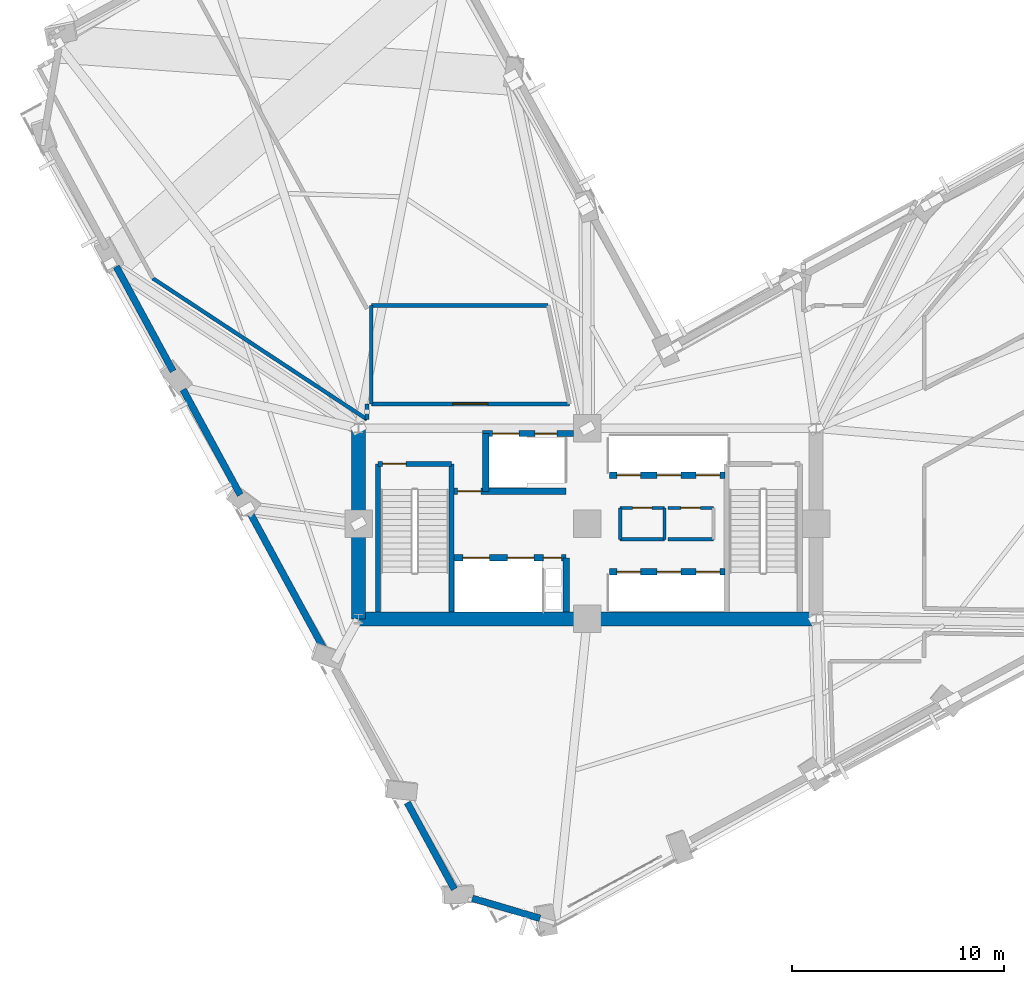
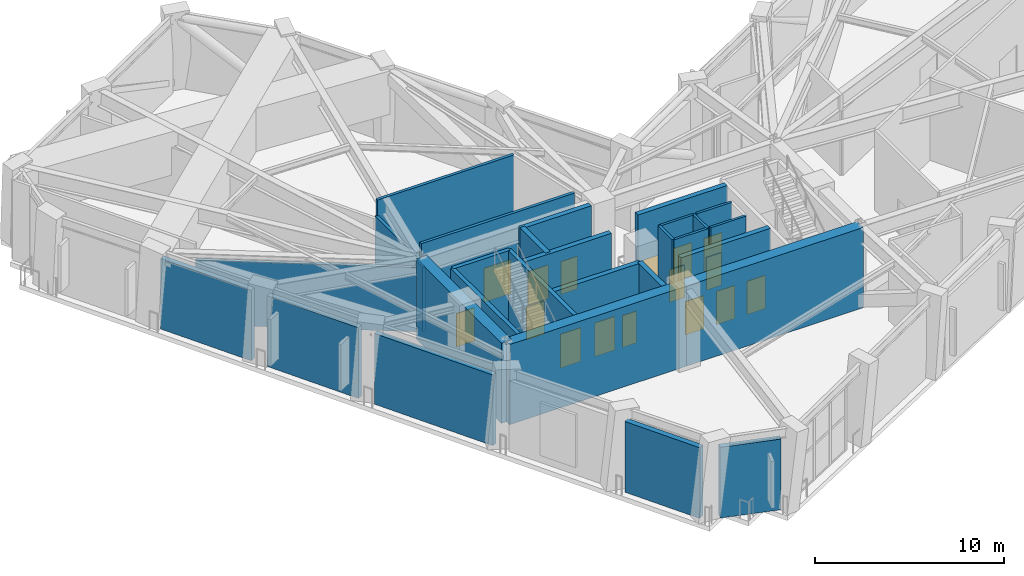
# One storey, part 8 of 15: 29 walls, 16 doors, 16 openings.
"""IFC4 building model written with IfcOpenShell, lengths in metres."""

import ifcopenshell
import ifcopenshell.guid

model = None  # the IFC model being written
_history = None  # IfcOwnerHistory: only IFC2X3 demands one
_inside = {}  # id of a spatial element -> (the spatial element, [elements in it])
_under = {}  # id of a project, library or spatial element -> (it, [spatial elements below it])
_declared = {}  # id of a project -> (the project, [libraries it declares])
_typed = {}  # id of a type object -> (the type object, [elements of that type])
_made_of = {}  # id of a material, layer set ... -> (it, [elements and type objects made of it])


def new_model(schema):
    """Start an empty IFC model of exactly this schema.

    Asked for "IFC4X3", IfcOpenShell would pick the latest addendum, in which some entities
    have other attributes; the version numbers below select the first issue.
    IFC2X3 requires an IfcOwnerHistory on every rooted entity: one is made here for all.
    """
    global model, _history
    if schema == "IFC4X3":
        model = ifcopenshell.file(schema_version=(4, 3, 0, 0))
    else:
        model = ifcopenshell.file(schema=schema)
    _inside.clear()
    _under.clear()
    _declared.clear()
    _typed.clear()
    _made_of.clear()
    _history = None
    if model.schema == "IFC2X3":
        org = make("IfcOrganization", Name="unknown")
        user = make(
            "IfcPersonAndOrganization",
            ThePerson=make("IfcPerson", FamilyName="unknown"),
            TheOrganization=org,
        )
        app = make(
            "IfcApplication",
            ApplicationDeveloper=org,
            Version="unknown",
            ApplicationFullName="unknown",
            ApplicationIdentifier="unknown",
        )
        _history = make(
            "IfcOwnerHistory",
            OwningUser=user,
            OwningApplication=app,
            ChangeAction="ADDED",
            CreationDate=0,
        )
    return model


def make(cls, **values):
    """One entity of the class cls with the attributes given. An attribute that is None is left unset."""
    return model.create_entity(
        cls, **{name: value for name, value in values.items() if value is not None}
    )


def rooted(cls, **values):
    """An entity with a GlobalId (a new one), such as an element, a storey or a relation."""
    return make(cls, GlobalId=ifcopenshell.guid.new(), OwnerHistory=_history, **values)


def si_unit(unit_type, name, prefix=None):
    """IfcSIUnit, for example si_unit("LENGTHUNIT", "METRE", prefix="MILLI")."""
    return make("IfcSIUnit", UnitType=unit_type, Prefix=prefix, Name=name)


def assignment(units):
    """IfcUnitAssignment: the units of a project."""
    return None if units is None else make("IfcUnitAssignment", Units=units)


def point(xyz):
    """IfcCartesianPoint."""
    return None if xyz is None else make("IfcCartesianPoint", Coordinates=xyz)


def direction(xyz):
    """IfcDirection."""
    return None if xyz is None else make("IfcDirection", DirectionRatios=xyz)


def frame(location, z_axis=None, x_axis=None):
    """IfcAxis2Placement3D, a coordinate frame: its origin and axes. An axis left out is left unset."""
    return make(
        "IfcAxis2Placement3D",
        Location=point(location),
        Axis=direction(z_axis),
        RefDirection=direction(x_axis),
    )


def frame_2d(location, x_axis=None):
    """IfcAxis2Placement2D, a coordinate frame in the plane: its origin and x axis."""
    return make(
        "IfcAxis2Placement2D", Location=point(location), RefDirection=direction(x_axis)
    )


def origin():
    """The frame at (0, 0, 0) with its axes left unset."""
    return frame((0.0, 0.0, 0.0))


def place(relative_to, where):
    """IfcLocalPlacement: puts the frame where relative to a parent placement (None: the world)."""
    return make(
        "IfcLocalPlacement", PlacementRelTo=relative_to, RelativePlacement=where
    )


def context(
    kind, dimensions, precision=None, world=None, true_north=None, identifier=None
):
    """IfcGeometricRepresentationContext, for example the 3D "Model" context."""
    return make(
        "IfcGeometricRepresentationContext",
        ContextIdentifier=identifier,
        ContextType=kind,
        CoordinateSpaceDimension=dimensions,
        Precision=precision,
        WorldCoordinateSystem=world,
        TrueNorth=true_north,
    )


def subcontext(parent, identifier, kind, view, scale=None):
    """IfcGeometricRepresentationSubContext, for example "Body" below "Model"."""
    return make(
        "IfcGeometricRepresentationSubContext",
        ContextIdentifier=identifier,
        ContextType=kind,
        ParentContext=parent,
        TargetScale=scale,
        TargetView=view,
    )


def project(units=None, contexts=None):
    """IfcProject with its units and contexts."""
    return rooted(
        "IfcProject",
        Name="project",
        RepresentationContexts=contexts,
        UnitsInContext=assignment(units),
    )


def spatial(cls, under=None, at=None, **own):
    """A site, building, storey or space (cls), placed at a placement, below another one or the project."""
    s = rooted(cls, ObjectPlacement=at, **own)
    if under is not None:
        _under.setdefault(under.id(), (under, []))[1].append(s)
    return s


def profile(cls, at=None, kind="AREA", **sizes):
    """A parametric profile (cls). Its sizes go by their IFC names, for example OverallWidth=200.0."""
    return make(cls, ProfileType=kind, Position=at, **sizes)


def rectangle(**sizes):
    """IfcRectangleProfileDef."""
    return profile("IfcRectangleProfileDef", **sizes)


def extrude(swept, where, along, depth):
    """IfcExtrudedAreaSolid: the profile swept, set in the frame where, extruded along a direction by depth."""
    return make(
        "IfcExtrudedAreaSolid",
        SweptArea=swept,
        Position=where,
        ExtrudedDirection=direction(along),
        Depth=depth,
    )


def shape(context_of_items, identifier, shape_type, items):
    """IfcShapeRepresentation: the items that make up one representation, for example the "Body"."""
    return make(
        "IfcShapeRepresentation",
        ContextOfItems=context_of_items,
        RepresentationIdentifier=identifier,
        RepresentationType=shape_type,
        Items=items,
    )


def material(Name=None, Category=None):
    """IfcMaterial."""
    return make("IfcMaterial", Name=Name, Category=Category)


def layer(
    of_material, thickness, ventilated=None, Name=None, Category=None, Priority=None
):
    """IfcMaterialLayer: one layer of a wall or slab, of a material (None: an air gap)."""
    return make(
        "IfcMaterialLayer",
        Material=of_material,
        LayerThickness=thickness,
        IsVentilated=ventilated,
        Name=Name,
        Category=Category,
        Priority=Priority,
    )


def layer_set(layers, Name=None):
    """IfcMaterialLayerSet."""
    return make("IfcMaterialLayerSet", MaterialLayers=layers, LayerSetName=Name)


def made_of(thing, what):
    """Note that an element or type object is made of a material, layer set ...; save() writes the relation."""
    if what is not None:
        _made_of.setdefault(what.id(), (what, []))[1].append(thing)
    return thing


def type_object(cls, material=None, **own):
    """A type object (cls), such as IfcWallType, which elements share."""
    return made_of(rooted(cls, **own), material)


def element(
    cls,
    number,
    at=None,
    inside=None,
    cuts=None,
    type_object=None,
    material=None,
    context=None,
    identifier="Body",
    shape_type=None,
    held_by="IfcProductDefinitionShape",
    body=None,
    shapes=None,
    **own,
):
    """One element of the class cls, such as IfcWall. Its Tag is "e" and its number.

    at: its placement. inside: the storey or other place that contains it. cuts: it is an
    opening in that element (IfcRelVoidsElement). A single representation is given by context,
    identifier, shape_type and body (its items); several are given by shapes. held_by: the class
    of the entity that holds the representations. save() writes the other relations.
    """
    e = rooted(cls, Tag="e%d" % number, ObjectPlacement=at, **own)
    if body is not None:
        shapes = [shape(context, identifier, shape_type, body)]
    if shapes is not None:
        e.Representation = make(held_by, Representations=shapes)
    if inside is not None:
        _inside.setdefault(inside.id(), (inside, []))[1].append(e)
    if cuts is not None:
        rooted(
            "IfcRelVoidsElement", RelatingBuildingElement=cuts, RelatedOpeningElement=e
        )
    if type_object is not None:
        _typed.setdefault(type_object.id(), (type_object, []))[1].append(e)
    return made_of(e, material)


def fill(opening, filler):
    """IfcRelFillsElement: the door or window that sits in an opening."""
    return rooted(
        "IfcRelFillsElement",
        RelatingOpeningElement=opening,
        RelatedBuildingElement=filler,
    )


def aggregate(whole, parts):
    """IfcRelAggregates: a whole, such as a stair, and the parts it consists of."""
    return rooted("IfcRelAggregates", RelatingObject=whole, RelatedObjects=parts)


def save(model, path):
    """Write the relations noted so far, then the file.

    IfcRelAggregates (storeys below a building ...), IfcRelContainedInSpatialStructure (elements
    in a storey), IfcRelDefinesByType, IfcRelAssociatesMaterial and IfcRelDeclares: one each for
    every whole, place, type object, material and project.
    """
    for whole, parts in _under.values():
        aggregate(whole, parts)
    for where, things in _inside.values():
        rooted(
            "IfcRelContainedInSpatialStructure",
            RelatedElements=things,
            RelatingStructure=where,
        )
    for kind, things in _typed.values():
        rooted("IfcRelDefinesByType", RelatedObjects=things, RelatingType=kind)
    for what, things in _made_of.values():
        rooted("IfcRelAssociatesMaterial", RelatedObjects=things, RelatingMaterial=what)
    for by, libraries in _declared.values():
        rooted("IfcRelDeclares", RelatingContext=by, RelatedDefinitions=libraries)
    model.write(path)


model = new_model("IFC4")

# Units and contexts
model_context = context("Model", 3, precision=1e-05, world=origin(), true_north=direction((0.0, 1.0)))
body_context = subcontext(model_context, "Body", "Model", "MODEL_VIEW")
ifc_project = project(units=[si_unit("LENGTHUNIT", "METRE"), si_unit("AREAUNIT", "SQUARE_METRE"), si_unit("VOLUMEUNIT", "CUBIC_METRE"), si_unit("PLANEANGLEUNIT", "RADIAN"), si_unit("MASSUNIT", "GRAM", prefix="KILO")], contexts=[model_context])

# Site, building, storey
site_placement = place(None, origin())
site = spatial("IfcSite", under=ifc_project, at=site_placement, CompositionType="ELEMENT")
building_placement = place(site_placement, origin())
building = spatial("IfcBuilding", under=site, at=building_placement, Name="Gaonmaruhae Medical Tower", CompositionType="ELEMENT")
storey_placement = place(building_placement, frame((0.0, 0.0, 144.39990234375)))
storey = spatial("IfcBuildingStorey", under=building, at=storey_placement, Name="L34", CompositionType="ELEMENT", Elevation=144.39990234375)

# Walls
ifc_material_1 = material(Name="Concrete C60/75", Category="concrete")
ifc_layer_1 = layer(ifc_material_1, 0.64990234375)
ifc_layer_set_1 = layer_set([ifc_layer_1], Name="Concrete C60/75")
wall_type_1 = type_object("IfcWallType", Name="CW-650 Zone 2 Core Shear Wall", PredefinedType="SHEAR", material=ifc_layer_set_1)
for number, where, z_axis, x_axis, name in (
    (1, (14.0, 7.800048828125, 0.0), (0.0, 0.0, 1.0), (1.0, 0.0, 0.0), "L34 Core Shear Wall CSW-S1"),
    (2, (24.800048828125, 7.800048828125, 0.0), (0.0, 0.0, 1.0), (1.0, 0.0, 0.0), "L34 Core Shear Wall CSW-S2"),
):
    element("IfcWall", number, at=place(storey_placement, frame(where, z_axis=z_axis, x_axis=x_axis)), inside=storey, type_object=wall_type_1, Name=name, PredefinedType="SHEAR", context=body_context, shape_type="SweptSolid", body=[
        extrude(rectangle(XDim=10.800048828125, YDim=0.64990234375, at=frame_2d((5.39990234375, 0.0))), origin(), (0.0, 0.0, 1.0), 5.18017578125),
    ])
wall_1_placement = place(storey_placement, frame((14.0, 16.800048828125, 0.0), z_axis=(0.0, 0.0, 1.0), x_axis=(0.0, -1.0, 0.0)))
element("IfcWall", 3, at=wall_1_placement, inside=storey, type_object=wall_type_1, Name="L34 Core Shear Wall CSW-W1", PredefinedType="SHEAR", context=body_context, shape_type="SweptSolid", body=[
    extrude(rectangle(XDim=9.0, YDim=0.64990234375, at=frame_2d((4.5, 0.0))), origin(), (0.0, 0.0, 1.0), 5.18017578125),
])
ifc_material_2 = material(Name="Precast concrete C45/55", Category="concrete")
ifc_layer_2 = layer(ifc_material_2, 0.320068359375)
ifc_layer_set_2 = layer_set([ifc_layer_2], Name="Precast concrete C45/55")
wall_type_2 = type_object("IfcWallType", Name="EW-320 Lower Precast Masonry-Frame Facade Wall", PredefinedType="SOLIDWALL", material=ifc_layer_set_2)
wall_2_placement = place(storey_placement, frame((5.247314453125, 19.4912109375, 0.0), z_axis=(0.0, 0.0, 1.0), x_axis=(-0.477152174529, 0.87882068839, 0.0)))
element("IfcWall", 4, at=wall_2_placement, inside=storey, type_object=wall_type_2, Name="L34 Precast Masonry-Frame Wall W02-W03", PredefinedType="SOLIDWALL", context=body_context, shape_type="SweptSolid", body=[
    extrude(rectangle(XDim=5.627685546875, YDim=0.320068359375, at=frame_2d((2.81396484375, 0.0))), origin(), (0.0, 0.0, 1.0), 4.545166015625),
])
wall_3_placement = place(storey_placement, frame((8.41796875, 13.651611328125, 0.0), z_axis=(0.0, 0.0, 1.0), x_axis=(-0.477159422491, 0.878816753099, 0.0)))
element("IfcWall", 5, at=wall_3_placement, inside=storey, type_object=wall_type_2, Name="L34 Precast Masonry-Frame Wall W03-W04", PredefinedType="SOLIDWALL", context=body_context, shape_type="SweptSolid", body=[
    extrude(rectangle(XDim=5.661865234375, YDim=0.320068359375, at=frame_2d((2.8310546875, 0.0))), origin(), (0.0, 0.0, 1.0), 4.565185546875),
])
wall_4_placement = place(storey_placement, frame((12.4033203125, 6.311279296875, 0.0), z_axis=(0.0, 0.0, 1.0), x_axis=(-0.477143101216, 0.878825614648, 0.0)))
element("IfcWall", 6, at=wall_4_placement, inside=storey, type_object=wall_type_2, Name="L34 Precast Masonry-Frame Wall W04-W05", PredefinedType="SOLIDWALL", context=body_context, shape_type="SweptSolid", body=[
    extrude(rectangle(XDim=7.3603515625, YDim=0.320068359375, at=frame_2d((3.68017578125, 0.0))), origin(), (0.0, 0.0, 1.0), 4.565185546875),
])
wall_5_placement = place(storey_placement, frame((18.52197265625, -4.95751953125, 0.0), z_axis=(0.0, 0.0, 1.0), x_axis=(-0.477195034422, 0.878797416429, 0.0)))
element("IfcWall", 7, at=wall_5_placement, inside=storey, type_object=wall_type_2, Name="L34 Precast Masonry-Frame Wall W06-W07", PredefinedType="SOLIDWALL", context=body_context, shape_type="SweptSolid", body=[
    extrude(rectangle(XDim=4.6474609375, YDim=0.320068359375, at=frame_2d((2.32373046875, 0.0))), origin(), (0.0, 0.0, 1.0), 4.565185546875),
])
wall_6_placement = place(storey_placement, frame((22.560302734375, -6.3330078125, 0.0), z_axis=(0.0, 0.0, 1.0), x_axis=(-0.95883146111, 0.283975754574, 0.0)))
element("IfcWall", 8, at=wall_6_placement, inside=storey, type_object=wall_type_2, Name="L34 Precast Masonry-Frame Wall W07-S01", PredefinedType="SOLIDWALL", context=body_context, shape_type="SweptSolid", body=[
    extrude(rectangle(XDim=3.32275390625, YDim=0.320068359375, at=frame_2d((1.661376953125, 0.0))), origin(), (0.0, 0.0, 1.0), 4.565185546875),
])
ifc_material_3 = material(Name="Gypsum board partition", Category="gypsum")
ifc_layer_3 = layer(ifc_material_3, 0.14990234375)
ifc_layer_set_3 = layer_set([ifc_layer_3], Name="Gypsum board partition")
wall_type_3 = type_object("IfcWallType", Name="PW-150 Rated Clinical Corridor Partition", PredefinedType="PARTITIONING", material=ifc_layer_set_3)
wall_7_placement = place(storey_placement, frame((26.35009765625, 11.56005859375, 0.0), z_axis=(0.0, 0.0, 1.0), x_axis=(0.0, 1.0, 0.0)))
element("IfcWall", 9, at=wall_7_placement, inside=storey, type_object=wall_type_3, Name="L34 Interior Partition L34-CS1-1", PredefinedType="PARTITIONING", context=body_context, shape_type="SweptSolid", body=[
    extrude(rectangle(XDim=1.47998046875, YDim=0.14990234375, at=frame_2d((0.739990234375, 0.0))), origin(), (0.0, 0.0, 1.0), 5.18017578125),
])

# Wall, opening, door
wall_8_placement = place(storey_placement, frame((26.35009765625, 13.0400390625, 0.0), z_axis=(0.0, 0.0, 1.0), x_axis=(1.0, 0.0, 0.0)))
wall_8 = element("IfcWall", 10, at=wall_8_placement, inside=storey, type_object=wall_type_3, Name="L34 Interior Partition L34-CS1-2", PredefinedType="PARTITIONING", context=body_context, shape_type="SweptSolid", body=[
    extrude(rectangle(XDim=2.099853515625, YDim=0.14990234375, at=frame_2d((1.0498046875, 0.0))), origin(), (0.0, 0.0, 1.0), 5.18017578125),
])
opening_1_placement = place(wall_8_placement, frame((0.590087890625, 0.0, 0.0)))
opening_1 = element("IfcOpeningElement", 11, at=opening_1_placement, cuts=wall_8, Name="Opening UD-01", PredefinedType="OPENING", context=body_context, shape_type="SweptSolid", body=[
    extrude(rectangle(XDim=0.919921875, YDim=2.10009765625, at=frame_2d((0.4599609375, 1.050048828125))), frame((0.0, 0.0849609375, 0.0), z_axis=(0.0, -1.0, 0.0), x_axis=(1.0, 0.0, 0.0)), (0.0, 0.0, 1.0), 0.169921875),
])
ifc_material_4 = material(Name="Powder-coated steel utility door", Category="steel")
door_type_1 = type_object("IfcDoorType", Name="UD-01 Toilet, Utility & Housekeeping Door 920x2100", OperationType="NOTDEFINED", PredefinedType="DOOR", material=ifc_material_4)
door_1_placement = place(opening_1_placement, origin())
door_1 = element("IfcDoor", 12, at=door_1_placement, inside=storey, type_object=door_type_1, Name="L34 Accessible Staff Toilet Door", OperationType="SINGLE_SWING_RIGHT", OverallHeight=2.10009765625, OverallWidth=0.919921875, PredefinedType="DOOR", context=body_context, shape_type="SweptSolid", body=[
    extrude(rectangle(XDim=0.919921875, YDim=2.10009765625, at=frame_2d((0.4599609375, 1.050048828125))), frame((0.0, 0.02490234375, 0.0), z_axis=(0.0, -1.0, 0.0), x_axis=(1.0, 0.0, 0.0)), (0.0, 0.0, 1.0), 0.050048828125),
])
fill(opening_1, door_1)

# Walls
wall_9_placement = place(storey_placement, frame((28.449951171875, 13.0400390625, 0.0), z_axis=(0.0, 0.0, 1.0), x_axis=(0.0, -1.0, 0.0)))
element("IfcWall", 13, at=wall_9_placement, inside=storey, type_object=wall_type_3, Name="L34 Interior Partition L34-CS1-3", PredefinedType="PARTITIONING", context=body_context, shape_type="SweptSolid", body=[
    extrude(rectangle(XDim=1.47998046875, YDim=0.14990234375, at=frame_2d((0.739990234375, 0.0))), origin(), (0.0, 0.0, 1.0), 5.18017578125),
])
wall_10_placement = place(storey_placement, frame((28.449951171875, 11.56005859375, 0.0), z_axis=(0.0, 0.0, 1.0), x_axis=(-1.0, 0.0, 0.0)))
element("IfcWall", 14, at=wall_10_placement, inside=storey, type_object=wall_type_3, Name="L34 Interior Partition L34-CS1-4", PredefinedType="PARTITIONING", context=body_context, shape_type="SweptSolid", body=[
    extrude(rectangle(XDim=2.099853515625, YDim=0.14990234375, at=frame_2d((1.0498046875, 0.0))), origin(), (0.0, 0.0, 1.0), 5.18017578125),
])

# Wall, opening, door
wall_11_placement = place(storey_placement, frame((28.60009765625, 13.0400390625, 0.0), z_axis=(0.0, 0.0, 1.0), x_axis=(1.0, 0.0, 0.0)))
wall_11 = element("IfcWall", 15, at=wall_11_placement, inside=storey, type_object=wall_type_3, Name="L34 Interior Partition L34-CS2-5", PredefinedType="PARTITIONING", context=body_context, shape_type="SweptSolid", body=[
    extrude(rectangle(XDim=2.14990234375, YDim=0.14990234375, at=frame_2d((1.074951171875, 0.0))), origin(), (0.0, 0.0, 1.0), 5.18017578125),
])
opening_2_placement = place(wall_11_placement, frame((0.614990234375, 0.0, 0.0)))
opening_2 = element("IfcOpeningElement", 16, at=opening_2_placement, cuts=wall_11, Name="Opening UD-01", PredefinedType="OPENING", context=body_context, shape_type="SweptSolid", body=[
    extrude(rectangle(XDim=0.919921875, YDim=2.10009765625, at=frame_2d((0.4599609375, 1.050048828125))), frame((0.0, 0.0849609375, 0.0), z_axis=(0.0, -1.0, 0.0), x_axis=(1.0, 0.0, 0.0)), (0.0, 0.0, 1.0), 0.169921875),
])
door_2_placement = place(opening_2_placement, origin())
door_2 = element("IfcDoor", 17, at=door_2_placement, inside=storey, type_object=door_type_1, Name="L34 Biomedical Telemetry Closet Door", OperationType="SINGLE_SWING_LEFT", OverallHeight=2.10009765625, OverallWidth=0.919921875, PredefinedType="DOOR", context=body_context, shape_type="SweptSolid", body=[
    extrude(rectangle(XDim=0.919921875, YDim=2.10009765625, at=frame_2d((0.4599609375, 1.050048828125))), frame((0.0, 0.02490234375, 0.0), z_axis=(0.0, -1.0, 0.0), x_axis=(1.0, 0.0, 0.0)), (0.0, 0.0, 1.0), 0.050048828125),
])
fill(opening_2, door_2)

# Walls
wall_12_placement = place(storey_placement, frame((30.75, 11.56005859375, 0.0), z_axis=(0.0, 0.0, 1.0), x_axis=(-1.0, 0.0, 0.0)))
element("IfcWall", 18, at=wall_12_placement, inside=storey, type_object=wall_type_3, Name="L34 Interior Partition L34-CS2-7", PredefinedType="PARTITIONING", context=body_context, shape_type="SweptSolid", body=[
    extrude(rectangle(XDim=2.14990234375, YDim=0.14990234375, at=frame_2d((1.074951171875, 0.0))), origin(), (0.0, 0.0, 1.0), 5.18017578125),
])
ifc_layer_4 = layer(ifc_material_3, 0.179931640625)
ifc_layer_set_4 = layer_set([ifc_layer_4], Name="Gypsum board partition")
wall_type_4 = type_object("IfcWallType", Name="PW-180 Refuge & Plant Acoustic Fire Partition", PredefinedType="PARTITIONING", material=ifc_layer_set_4)
wall_13_placement = place(storey_placement, frame((14.60009765625, 17.949951171875, 0.0), z_axis=(0.0, 0.0, 1.0), x_axis=(0.0, 1.0, 0.0)))
element("IfcWall", 19, at=wall_13_placement, inside=storey, type_object=wall_type_4, Name="L34 Interior Partition L34-REF1-8", PredefinedType="PARTITIONING", context=body_context, shape_type="SweptSolid", body=[
    extrude(rectangle(XDim=4.650146484375, YDim=0.179931640625, at=frame_2d((2.3251953125, 0.0))), origin(), (0.0, 0.0, 1.0), 4.14501953125),
])
wall_14_placement = place(storey_placement, frame((14.60009765625, 22.60009765625, 0.0), z_axis=(0.0, 0.0, 1.0), x_axis=(1.0, 0.0, 0.0)))
element("IfcWall", 20, at=wall_14_placement, inside=storey, type_object=wall_type_4, Name="L34 Interior Partition L34-REF1-9", PredefinedType="PARTITIONING", context=body_context, shape_type="SweptSolid", body=[
    extrude(rectangle(XDim=8.35400390625, YDim=0.179931640625, at=frame_2d((4.177001953125, 0.0))), origin(), (0.0, 0.0, 1.0), 5.18017578125),
])

# Wall, opening, door
wall_15_placement = place(storey_placement, frame((23.9580078125, 17.949951171875, 0.0), z_axis=(0.0, 0.0, 1.0), x_axis=(-1.0, 0.0, 0.0)))
wall_15 = element("IfcWall", 21, at=wall_15_placement, inside=storey, type_object=wall_type_4, Name="L34 Interior Partition L34-REF1-11", PredefinedType="PARTITIONING", context=body_context, shape_type="SweptSolid", body=[
    extrude(rectangle(XDim=9.35791015625, YDim=0.179931640625, at=frame_2d((4.678955078125, 0.0))), origin(), (0.0, 0.0, 1.0), 5.18017578125),
])
opening_3_placement = place(wall_15_placement, frame((3.85400390625, 0.0, 0.0)))
opening_3 = element("IfcOpeningElement", 22, at=opening_3_placement, cuts=wall_15, Name="Opening FD-04", PredefinedType="OPENING", context=body_context, shape_type="SweptSolid", body=[
    extrude(rectangle(XDim=1.64990234375, YDim=2.199951171875, at=frame_2d((0.824951171875, 1.10009765625))), frame((0.0, 0.10009765625, 0.0), z_axis=(0.0, -1.0, 0.0), x_axis=(1.0, 0.0, 0.0)), (0.0, 0.0, 1.0), 0.199951171875),
])
ifc_material_5 = material(Name="Powder-coated steel fire door", Category="steel")
door_type_2 = type_object("IfcDoorType", Name="FD-04 Refuge & Trauma Double Fire Door 1650x2200", OperationType="NOTDEFINED", PredefinedType="DOOR", material=ifc_material_5)
door_3_placement = place(opening_3_placement, origin())
door_3 = element("IfcDoor", 23, at=door_3_placement, inside=storey, type_object=door_type_2, Name="L34 Designated Fire Refuge Safety Area Door", OperationType="DOUBLE_DOOR_SINGLE_SWING", OverallHeight=2.199951171875, OverallWidth=1.64990234375, PredefinedType="DOOR", context=body_context, shape_type="SweptSolid", body=[
    extrude(rectangle(XDim=1.64990234375, YDim=2.199951171875, at=frame_2d((0.824951171875, 1.10009765625))), frame((0.0, 0.02490234375, 0.0), z_axis=(0.0, -1.0, 0.0), x_axis=(1.0, 0.0, 0.0)), (0.0, 0.0, 1.0), 0.050048828125),
])
fill(opening_3, door_3)

# Walls
wall_16_placement = place(storey_placement, frame((14.39990234375, 17.949951171875, 0.0), z_axis=(0.0, 0.0, 1.0), x_axis=(0.0, -1.0, 0.0)))
element("IfcWall", 24, at=wall_16_placement, inside=storey, type_object=wall_type_4, Name="L34 Interior Partition L34-ELEC-54", PredefinedType="PARTITIONING", context=body_context, shape_type="SweptSolid", body=[
    extrude(rectangle(XDim=0.73095703125, YDim=0.179931640625, at=frame_2d((0.365478515625, 0.0))), origin(), (0.0, 0.0, 1.0), 4.14501953125),
])
wall_17_placement = place(storey_placement, frame((14.39990234375, 17.218994140625, 0.0), z_axis=(0.0, 0.0, 1.0), x_axis=(-0.835210398554, 0.549930532111, 0.0)))
element("IfcWall", 25, at=wall_17_placement, inside=storey, type_object=wall_type_4, Name="L34 Interior Partition L34-ELEC-55", PredefinedType="PARTITIONING", context=body_context, shape_type="SweptSolid", body=[
    extrude(rectangle(XDim=12.10693359375, YDim=0.179931640625, at=frame_2d((6.053466796875, 0.0))), origin(), (0.0, 0.0, 1.0), 4.14501953125),
])

# Wall, opening, door
ifc_material_6 = material(Name="Concrete C50/60", Category="concrete")
ifc_layer_5 = layer(ifc_material_6, 0.239990234375)
ifc_layer_set_5 = layer_set([ifc_layer_5], Name="Concrete C50/60")
wall_type_5 = type_object("IfcWallType", Name="SW-240 Dogleg Stair Tight Shaft Wall", PredefinedType="SOLIDWALL", material=ifc_layer_set_5)
wall_18_placement = place(storey_placement, frame((14.919921875, 15.1201171875, 0.0), z_axis=(0.0, 0.0, 1.0), x_axis=(1.0, 0.0, 0.0)))
wall_18 = element("IfcWall", 26, at=wall_18_placement, inside=storey, type_object=wall_type_5, Name="L34 ST-01 Stair Shaft Wall SHW-ST-01-N", PredefinedType="SOLIDWALL", context=body_context, shape_type="SweptSolid", body=[
    extrude(rectangle(XDim=3.4599609375, YDim=0.239990234375, at=frame_2d((1.72998046875, 0.0))), origin(), (0.0, 0.0, 1.0), 5.18017578125),
])
opening_4_placement = place(wall_18_placement, frame((0.219970703125, 0.0, 0.0)))
opening_4 = element("IfcOpeningElement", 27, at=opening_4_placement, cuts=wall_18, Name="Opening FD-01", PredefinedType="OPENING", context=body_context, shape_type="SweptSolid", body=[
    extrude(rectangle(XDim=1.10009765625, YDim=2.14990234375, at=frame_2d((0.550048828125, 1.074951171875))), frame((0.0, 0.1298828125, 0.0), z_axis=(0.0, -1.0, 0.0), x_axis=(1.0, 0.0, 0.0)), (0.0, 0.0, 1.0), 0.260009765625),
])
door_type_3 = type_object("IfcDoorType", Name="FD-01 Escape Stair Protected Fire Door 1100x2150", OperationType="NOTDEFINED", PredefinedType="DOOR", material=ifc_material_5)
door_4_placement = place(opening_4_placement, origin())
door_4 = element("IfcDoor", 28, at=door_4_placement, inside=storey, type_object=door_type_3, Name="L34 ST-01 Protected Escape Stair Door", OperationType="SINGLE_SWING_RIGHT", OverallHeight=2.14990234375, OverallWidth=1.10009765625, PredefinedType="DOOR", context=body_context, shape_type="SweptSolid", body=[
    extrude(rectangle(XDim=1.10009765625, YDim=2.14990234375, at=frame_2d((0.550048828125, 1.074951171875))), frame((0.0, 0.02490234375, 0.0), z_axis=(0.0, -1.0, 0.0), x_axis=(1.0, 0.0, 0.0)), (0.0, 0.0, 1.0), 0.050048828125),
])
fill(opening_4, door_4)

# Walls
for number, where, z_axis, x_axis, name in (
    (29, (18.3798828125, 15.1201171875, 0.0), (0.0, 0.0, 1.0), (0.0, -1.0, 0.0), "L34 ST-01 Stair Shaft Wall SHW-ST-01-E"),
    (30, (14.919921875, 8.125, 0.0), (0.0, 0.0, 1.0), (0.0, 1.0, 0.0), "L34 ST-01 Stair Shaft Wall SHW-ST-01-W"),
):
    element("IfcWall", number, at=place(storey_placement, frame(where, z_axis=z_axis, x_axis=x_axis)), inside=storey, type_object=wall_type_5, Name=name, PredefinedType="SOLIDWALL", context=body_context, shape_type="SweptSolid", body=[
        extrude(rectangle(XDim=6.9951171875, YDim=0.239990234375, at=frame_2d((3.49755859375, 0.0))), origin(), (0.0, 0.0, 1.0), 5.18017578125),
    ])

# Wall, openings, doors
ifc_layer_6 = layer(ifc_material_6, 0.300048828125)
ifc_layer_set_6 = layer_set([ifc_layer_6], Name="Concrete C50/60")
wall_type_6 = type_object("IfcWallType", Name="SW-300 Stair & Lift Hoistway Shaft Wall", PredefinedType="SOLIDWALL", material=ifc_layer_set_6)
wall_19_placement = place(storey_placement, frame((19.85009765625, 16.550048828125, 0.0), z_axis=(0.0, 0.0, 1.0), x_axis=(1.0, 0.0, 0.0)))
wall_19 = element("IfcWall", 31, at=wall_19_placement, inside=storey, type_object=wall_type_6, Name="L34 Core Shear Wall CSW-NB", PredefinedType="SOLIDWALL", context=body_context, shape_type="SweptSolid", body=[
    extrude(rectangle(XDim=4.2998046875, YDim=0.300048828125, at=frame_2d((2.14990234375, 0.0))), origin(), (0.0, 0.0, 1.0), 5.18017578125),
])
opening_5_placement = place(wall_19_placement, frame((0.47509765625, 0.0, 0.0)))
opening_5 = element("IfcOpeningElement", 32, at=opening_5_placement, cuts=wall_19, Name="Opening LD-F1", PredefinedType="OPENING", context=body_context, shape_type="SweptSolid", body=[
    extrude(rectangle(XDim=1.25, YDim=2.179931640625, at=frame_2d((0.625, 1.08984375))), frame((0.0, 0.16015625, 0.0), z_axis=(0.0, -1.0, 0.0), x_axis=(1.0, 0.0, 0.0)), (0.0, 0.0, 1.0), 0.320068359375),
])
opening_6_placement = place(wall_19_placement, frame((2.489990234375, 0.0, 0.0)))
opening_6 = element("IfcOpeningElement", 33, at=opening_6_placement, cuts=wall_19, Name="Opening LD-S1", PredefinedType="OPENING", context=body_context, shape_type="SweptSolid", body=[
    extrude(rectangle(XDim=1.02001953125, YDim=2.1201171875, at=frame_2d((0.510009765625, 1.06005859375))), frame((0.0, 0.16015625, 0.0), z_axis=(0.0, -1.0, 0.0), x_axis=(1.0, 0.0, 0.0)), (0.0, 0.0, 1.0), 0.320068359375),
])
ifc_material_7 = material(Name="Brushed stainless steel 316L landing door", Category="steel")
door_type_4 = type_object("IfcDoorType", Name="LD-F1 Firefighting & Bed Lift Sliding Landing Door 1250x2180", OperationType="NOTDEFINED", PredefinedType="DOOR", material=ifc_material_7)
door_5_placement = place(opening_5_placement, origin())
door_5 = element("IfcDoor", 34, at=door_5_placement, inside=storey, type_object=door_type_4, Name="L34 Service/Bed Lift Landing Door BDL-01", OperationType="DOUBLE_DOOR_SLIDING", OverallHeight=2.179931640625, OverallWidth=1.25, PredefinedType="DOOR", context=body_context, shape_type="SweptSolid", body=[
    extrude(rectangle(XDim=1.25, YDim=2.179931640625, at=frame_2d((0.625, 1.08984375))), frame((0.0, 0.02490234375, 0.0), z_axis=(0.0, -1.0, 0.0), x_axis=(1.0, 0.0, 0.0)), (0.0, 0.0, 1.0), 0.050048828125),
])
fill(opening_5, door_5)
ifc_material_8 = material(Name="Brushed stainless steel 304 landing door", Category="steel")
door_type_5 = type_object("IfcDoorType", Name="LD-S1 Service Lift Sliding Landing Door 1020x2120", OperationType="NOTDEFINED", PredefinedType="DOOR", material=ifc_material_8)
door_6_placement = place(opening_6_placement, origin())
door_6 = element("IfcDoor", 35, at=door_6_placement, inside=storey, type_object=door_type_5, Name="L34 Service/Bed Lift Landing Door SVL-01", OperationType="SLIDING_TO_LEFT", OverallHeight=2.1201171875, OverallWidth=1.02001953125, PredefinedType="DOOR", context=body_context, shape_type="SweptSolid", body=[
    extrude(rectangle(XDim=1.02001953125, YDim=2.1201171875, at=frame_2d((0.510009765625, 1.06005859375))), frame((0.0, 0.02490234375, 0.0), z_axis=(0.0, -1.0, 0.0), x_axis=(1.0, 0.0, 0.0)), (0.0, 0.0, 1.0), 0.050048828125),
])
fill(opening_6, door_6)

wall_20_placement = place(storey_placement, frame((18.5, 10.679931640625, 0.0), z_axis=(0.0, 0.0, 1.0), x_axis=(1.0, 0.0, 0.0)))
wall_20 = element("IfcWall", 36, at=wall_20_placement, inside=storey, type_object=wall_type_6, Name="L34 Shaft Enclosure Wall SHW-FFN", PredefinedType="SOLIDWALL", context=body_context, shape_type="SweptSolid", body=[
    extrude(rectangle(XDim=5.300048828125, YDim=0.300048828125, at=frame_2d((2.64990234375, 0.0))), origin(), (0.0, 0.0, 1.0), 5.18017578125),
])
opening_7_placement = place(wall_20_placement, frame((4.219970703125, 0.0, 0.0)))
opening_7 = element("IfcOpeningElement", 37, at=opening_7_placement, cuts=wall_20, Name="Opening AD-01", PredefinedType="OPENING", context=body_context, shape_type="SweptSolid", body=[
    extrude(rectangle(XDim=0.860107421875, YDim=2.06005859375, at=frame_2d((0.43017578125, 1.030029296875))), frame((0.0, 0.16015625, 0.0), z_axis=(0.0, -1.0, 0.0), x_axis=(1.0, 0.0, 0.0)), (0.0, 0.0, 1.0), 0.320068359375),
])
opening_8_placement = place(wall_20_placement, frame((0.425048828125, 0.0, 0.0)))
opening_8 = element("IfcOpeningElement", 38, at=opening_8_placement, cuts=wall_20, Name="Opening LD-F1", PredefinedType="OPENING", context=body_context, shape_type="SweptSolid", body=[
    extrude(rectangle(XDim=1.25, YDim=2.179931640625, at=frame_2d((0.625, 1.08984375))), frame((0.0, 0.16015625, 0.0), z_axis=(0.0, -1.0, 0.0), x_axis=(1.0, 0.0, 0.0)), (0.0, 0.0, 1.0), 0.320068359375),
])
opening_9_placement = place(wall_20_placement, frame((2.52490234375, 0.0, 0.0)))
opening_9 = element("IfcOpeningElement", 39, at=opening_9_placement, cuts=wall_20, Name="Opening LD-F1", PredefinedType="OPENING", context=body_context, shape_type="SweptSolid", body=[
    extrude(rectangle(XDim=1.25, YDim=2.179931640625, at=frame_2d((0.625, 1.08984375))), frame((0.0, 0.16015625, 0.0), z_axis=(0.0, -1.0, 0.0), x_axis=(1.0, 0.0, 0.0)), (0.0, 0.0, 1.0), 0.320068359375),
])
ifc_material_9 = material(Name="Powder-coated steel access door", Category="steel")
door_type_6 = type_object("IfcDoorType", Name="AD-01 Riser & Closet Access Fire Door 860x2060", OperationType="NOTDEFINED", PredefinedType="DOOR", material=ifc_material_9)
door_7_placement = place(opening_7_placement, origin())
door_7 = element("IfcDoor", 40, at=door_7_placement, inside=storey, type_object=door_type_6, Name="L34 Medical Gas and MEP Riser Access Door", OperationType="SINGLE_SWING_RIGHT", OverallHeight=2.06005859375, OverallWidth=0.860107421875, PredefinedType="DOOR", context=body_context, shape_type="SweptSolid", body=[
    extrude(rectangle(XDim=0.860107421875, YDim=2.06005859375, at=frame_2d((0.43017578125, 1.030029296875))), frame((0.0, 0.02490234375, 0.0), z_axis=(0.0, -1.0, 0.0), x_axis=(1.0, 0.0, 0.0)), (0.0, 0.0, 1.0), 0.050048828125),
])
fill(opening_7, door_7)
door_8_placement = place(opening_8_placement, origin())
door_8 = element("IfcDoor", 41, at=door_8_placement, inside=storey, type_object=door_type_4, Name="L34 Firefighting Lift Landing Door FFL-01", OperationType="DOUBLE_DOOR_SLIDING", OverallHeight=2.179931640625, OverallWidth=1.25, PredefinedType="DOOR", context=body_context, shape_type="SweptSolid", body=[
    extrude(rectangle(XDim=1.25, YDim=2.179931640625, at=frame_2d((0.625, 1.08984375))), frame((0.0, 0.02490234375, 0.0), z_axis=(0.0, -1.0, 0.0), x_axis=(1.0, 0.0, 0.0)), (0.0, 0.0, 1.0), 0.050048828125),
])
fill(opening_8, door_8)
door_9_placement = place(opening_9_placement, origin())
door_9 = element("IfcDoor", 42, at=door_9_placement, inside=storey, type_object=door_type_4, Name="L34 Firefighting Lift Landing Door FFL-02", OperationType="DOUBLE_DOOR_SLIDING", OverallHeight=2.179931640625, OverallWidth=1.25, PredefinedType="DOOR", context=body_context, shape_type="SweptSolid", body=[
    extrude(rectangle(XDim=1.25, YDim=2.179931640625, at=frame_2d((0.625, 1.08984375))), frame((0.0, 0.02490234375, 0.0), z_axis=(0.0, -1.0, 0.0), x_axis=(1.0, 0.0, 0.0)), (0.0, 0.0, 1.0), 0.050048828125),
])
fill(opening_9, door_9)

# Wall, opening, door
wall_21_placement = place(storey_placement, frame((18.5, 13.820068359375, 0.0), z_axis=(0.0, 0.0, 1.0), x_axis=(1.0, 0.0, 0.0)))
wall_21 = element("IfcWall", 43, at=wall_21_placement, inside=storey, type_object=wall_type_6, Name="L34 Shaft Enclosure Wall SHW-FFL", PredefinedType="SOLIDWALL", context=body_context, shape_type="SweptSolid", body=[
    extrude(rectangle(XDim=5.300048828125, YDim=0.300048828125, at=frame_2d((2.64990234375, 0.0))), origin(), (0.0, 0.0, 1.0), 5.18017578125),
])
opening_10_placement = place(wall_21_placement, frame((0.179931640625, 0.0, 0.0)))
opening_10 = element("IfcOpeningElement", 44, at=opening_10_placement, cuts=wall_21, Name="Opening FD-01", PredefinedType="OPENING", context=body_context, shape_type="SweptSolid", body=[
    extrude(rectangle(XDim=1.10009765625, YDim=2.14990234375, at=frame_2d((0.550048828125, 1.074951171875))), frame((0.0, 0.16015625, 0.0), z_axis=(0.0, -1.0, 0.0), x_axis=(1.0, 0.0, 0.0)), (0.0, 0.0, 1.0), 0.320068359375),
])
door_10_placement = place(opening_10_placement, origin())
door_10 = element("IfcDoor", 45, at=door_10_placement, inside=storey, type_object=door_type_3, Name="L34 Firefighting Lobby Smoke Door", OperationType="SINGLE_SWING_LEFT", OverallHeight=2.14990234375, OverallWidth=1.10009765625, PredefinedType="DOOR", context=body_context, shape_type="SweptSolid", body=[
    extrude(rectangle(XDim=1.10009765625, YDim=2.14990234375, at=frame_2d((0.550048828125, 1.074951171875))), frame((0.0, 0.02490234375, 0.0), z_axis=(0.0, -1.0, 0.0), x_axis=(1.0, 0.0, 0.0)), (0.0, 0.0, 1.0), 0.050048828125),
])
fill(opening_10, door_10)

# Walls
wall_22_placement = place(storey_placement, frame((23.800048828125, 8.125, 0.0), z_axis=(0.0, 0.0, 1.0), x_axis=(0.0, 1.0, 0.0)))
element("IfcWall", 46, at=wall_22_placement, inside=storey, type_object=wall_type_6, Name="L34 Shaft Enclosure Wall SHW-FFE", PredefinedType="SOLIDWALL", context=body_context, shape_type="SweptSolid", body=[
    extrude(rectangle(XDim=2.554931640625, YDim=0.300048828125, at=frame_2d((1.27734375, 0.0))), origin(), (0.0, 0.0, 1.0), 5.18017578125),
])
wall_23_placement = place(storey_placement, frame((20.0, 13.820068359375, 0.0), z_axis=(0.0, 0.0, 1.0), x_axis=(0.0, 1.0, 0.0)))
element("IfcWall", 47, at=wall_23_placement, inside=storey, type_object=wall_type_6, Name="L34 Shaft Enclosure Wall SHW-BDW", PredefinedType="SOLIDWALL", context=body_context, shape_type="SweptSolid", body=[
    extrude(rectangle(XDim=2.72998046875, YDim=0.300048828125, at=frame_2d((1.364990234375, 0.0))), origin(), (0.0, 0.0, 1.0), 5.18017578125),
])

# Wall, openings, doors
wall_24_placement = place(storey_placement, frame((25.85009765625, 10.02001953125, 0.0), z_axis=(0.0, 0.0, 1.0), x_axis=(1.0, 0.0, 0.0)))
wall_24 = element("IfcWall", 48, at=wall_24_placement, inside=storey, type_object=wall_type_6, Name="L34 Shaft Enclosure Wall SHW-PLS", PredefinedType="SOLIDWALL", context=body_context, shape_type="SweptSolid", body=[
    extrude(rectangle(XDim=5.449951171875, YDim=0.300048828125, at=frame_2d((2.72509765625, 0.0))), origin(), (0.0, 0.0, 1.0), 5.18017578125),
])
opening_11_placement = place(wall_24_placement, frame((0.340087890625, 0.0, 0.0)))
opening_11 = element("IfcOpeningElement", 49, at=opening_11_placement, cuts=wall_24, Name="Opening LD-P1", PredefinedType="OPENING", context=body_context, shape_type="SweptSolid", body=[
    extrude(rectangle(XDim=1.1201171875, YDim=2.14990234375, at=frame_2d((0.56005859375, 1.074951171875))), frame((0.0, 0.16015625, 0.0), z_axis=(0.0, -1.0, 0.0), x_axis=(1.0, 0.0, 0.0)), (0.0, 0.0, 1.0), 0.320068359375),
])
opening_12_placement = place(wall_24_placement, frame((2.239990234375, 0.0, 0.0)))
opening_12 = element("IfcOpeningElement", 50, at=opening_12_placement, cuts=wall_24, Name="Opening LD-P1", PredefinedType="OPENING", context=body_context, shape_type="SweptSolid", body=[
    extrude(rectangle(XDim=1.1201171875, YDim=2.14990234375, at=frame_2d((0.56005859375, 1.074951171875))), frame((0.0, 0.16015625, 0.0), z_axis=(0.0, -1.0, 0.0), x_axis=(1.0, 0.0, 0.0)), (0.0, 0.0, 1.0), 0.320068359375),
])
opening_13_placement = place(wall_24_placement, frame((4.090087890625, 0.0, 0.0)))
opening_13 = element("IfcOpeningElement", 51, at=opening_13_placement, cuts=wall_24, Name="Opening LD-P1", PredefinedType="OPENING", context=body_context, shape_type="SweptSolid", body=[
    extrude(rectangle(XDim=1.1201171875, YDim=2.14990234375, at=frame_2d((0.56005859375, 1.074951171875))), frame((0.0, 0.16015625, 0.0), z_axis=(0.0, -1.0, 0.0), x_axis=(1.0, 0.0, 0.0)), (0.0, 0.0, 1.0), 0.320068359375),
])
door_type_7 = type_object("IfcDoorType", Name="LD-P1 Passenger Lift Sliding Landing Door 1120x2150", OperationType="NOTDEFINED", PredefinedType="DOOR", material=ifc_material_8)
door_11_placement = place(opening_11_placement, origin())
door_11 = element("IfcDoor", 52, at=door_11_placement, inside=storey, type_object=door_type_7, Name="L34 Passenger Lift Landing Door PL-L1", OperationType="DOUBLE_DOOR_SLIDING", OverallHeight=2.14990234375, OverallWidth=1.1201171875, PredefinedType="DOOR", context=body_context, shape_type="SweptSolid", body=[
    extrude(rectangle(XDim=1.1201171875, YDim=2.14990234375, at=frame_2d((0.56005859375, 1.074951171875))), frame((0.0, 0.02490234375, 0.0), z_axis=(0.0, -1.0, 0.0), x_axis=(1.0, 0.0, 0.0)), (0.0, 0.0, 1.0), 0.050048828125),
])
fill(opening_11, door_11)
door_12_placement = place(opening_12_placement, origin())
door_12 = element("IfcDoor", 53, at=door_12_placement, inside=storey, type_object=door_type_7, Name="L34 Passenger Lift Landing Door PL-L2", OperationType="DOUBLE_DOOR_SLIDING", OverallHeight=2.14990234375, OverallWidth=1.1201171875, PredefinedType="DOOR", context=body_context, shape_type="SweptSolid", body=[
    extrude(rectangle(XDim=1.1201171875, YDim=2.14990234375, at=frame_2d((0.56005859375, 1.074951171875))), frame((0.0, 0.02490234375, 0.0), z_axis=(0.0, -1.0, 0.0), x_axis=(1.0, 0.0, 0.0)), (0.0, 0.0, 1.0), 0.050048828125),
])
fill(opening_12, door_12)
door_13_placement = place(opening_13_placement, origin())
door_13 = element("IfcDoor", 54, at=door_13_placement, inside=storey, type_object=door_type_7, Name="L34 Passenger Lift Landing Door PL-H1", OperationType="DOUBLE_DOOR_SLIDING", OverallHeight=2.14990234375, OverallWidth=1.1201171875, PredefinedType="DOOR", context=body_context, shape_type="SweptSolid", body=[
    extrude(rectangle(XDim=1.1201171875, YDim=2.14990234375, at=frame_2d((0.56005859375, 1.074951171875))), frame((0.0, 0.02490234375, 0.0), z_axis=(0.0, -1.0, 0.0), x_axis=(1.0, 0.0, 0.0)), (0.0, 0.0, 1.0), 0.050048828125),
])
fill(opening_13, door_13)

wall_25_placement = place(storey_placement, frame((25.85009765625, 14.580078125, 0.0), z_axis=(0.0, 0.0, 1.0), x_axis=(1.0, 0.0, 0.0)))
wall_25 = element("IfcWall", 55, at=wall_25_placement, inside=storey, type_object=wall_type_6, Name="L34 Shaft Enclosure Wall SHW-PLN", PredefinedType="SOLIDWALL", context=body_context, shape_type="SweptSolid", body=[
    extrude(rectangle(XDim=5.449951171875, YDim=0.300048828125, at=frame_2d((2.72509765625, 0.0))), origin(), (0.0, 0.0, 1.0), 5.18017578125),
])
opening_14_placement = place(wall_25_placement, frame((0.340087890625, 0.0, 0.0)))
opening_14 = element("IfcOpeningElement", 56, at=opening_14_placement, cuts=wall_25, Name="Opening LD-P1", PredefinedType="OPENING", context=body_context, shape_type="SweptSolid", body=[
    extrude(rectangle(XDim=1.1201171875, YDim=2.14990234375, at=frame_2d((0.56005859375, 1.074951171875))), frame((0.0, 0.16015625, 0.0), z_axis=(0.0, -1.0, 0.0), x_axis=(1.0, 0.0, 0.0)), (0.0, 0.0, 1.0), 0.320068359375),
])
opening_15_placement = place(wall_25_placement, frame((2.239990234375, 0.0, 0.0)))
opening_15 = element("IfcOpeningElement", 57, at=opening_15_placement, cuts=wall_25, Name="Opening LD-P1", PredefinedType="OPENING", context=body_context, shape_type="SweptSolid", body=[
    extrude(rectangle(XDim=1.1201171875, YDim=2.14990234375, at=frame_2d((0.56005859375, 1.074951171875))), frame((0.0, 0.16015625, 0.0), z_axis=(0.0, -1.0, 0.0), x_axis=(1.0, 0.0, 0.0)), (0.0, 0.0, 1.0), 0.320068359375),
])
opening_16_placement = place(wall_25_placement, frame((4.090087890625, 0.0, 0.0)))
opening_16 = element("IfcOpeningElement", 58, at=opening_16_placement, cuts=wall_25, Name="Opening LD-P1", PredefinedType="OPENING", context=body_context, shape_type="SweptSolid", body=[
    extrude(rectangle(XDim=1.1201171875, YDim=2.14990234375, at=frame_2d((0.56005859375, 1.074951171875))), frame((0.0, 0.16015625, 0.0), z_axis=(0.0, -1.0, 0.0), x_axis=(1.0, 0.0, 0.0)), (0.0, 0.0, 1.0), 0.320068359375),
])
door_14_placement = place(opening_14_placement, origin())
door_14 = element("IfcDoor", 59, at=door_14_placement, inside=storey, type_object=door_type_7, Name="L34 Passenger Lift Landing Door PL-M1", OperationType="DOUBLE_DOOR_SLIDING", OverallHeight=2.14990234375, OverallWidth=1.1201171875, PredefinedType="DOOR", context=body_context, shape_type="SweptSolid", body=[
    extrude(rectangle(XDim=1.1201171875, YDim=2.14990234375, at=frame_2d((0.56005859375, 1.074951171875))), frame((0.0, 0.02490234375, 0.0), z_axis=(0.0, -1.0, 0.0), x_axis=(1.0, 0.0, 0.0)), (0.0, 0.0, 1.0), 0.050048828125),
])
fill(opening_14, door_14)
door_15_placement = place(opening_15_placement, origin())
door_15 = element("IfcDoor", 60, at=door_15_placement, inside=storey, type_object=door_type_7, Name="L34 Passenger Lift Landing Door PL-M2", OperationType="DOUBLE_DOOR_SLIDING", OverallHeight=2.14990234375, OverallWidth=1.1201171875, PredefinedType="DOOR", context=body_context, shape_type="SweptSolid", body=[
    extrude(rectangle(XDim=1.1201171875, YDim=2.14990234375, at=frame_2d((0.56005859375, 1.074951171875))), frame((0.0, 0.02490234375, 0.0), z_axis=(0.0, -1.0, 0.0), x_axis=(1.0, 0.0, 0.0)), (0.0, 0.0, 1.0), 0.050048828125),
])
fill(opening_15, door_15)
door_16_placement = place(opening_16_placement, origin())
door_16 = element("IfcDoor", 61, at=door_16_placement, inside=storey, type_object=door_type_7, Name="L34 Passenger Lift Landing Door PL-H2", OperationType="DOUBLE_DOOR_SLIDING", OverallHeight=2.14990234375, OverallWidth=1.1201171875, PredefinedType="DOOR", context=body_context, shape_type="SweptSolid", body=[
    extrude(rectangle(XDim=1.1201171875, YDim=2.14990234375, at=frame_2d((0.56005859375, 1.074951171875))), frame((0.0, 0.02490234375, 0.0), z_axis=(0.0, -1.0, 0.0), x_axis=(1.0, 0.0, 0.0)), (0.0, 0.0, 1.0), 0.050048828125),
])
fill(opening_16, door_16)

save(model, "model.ifc")
